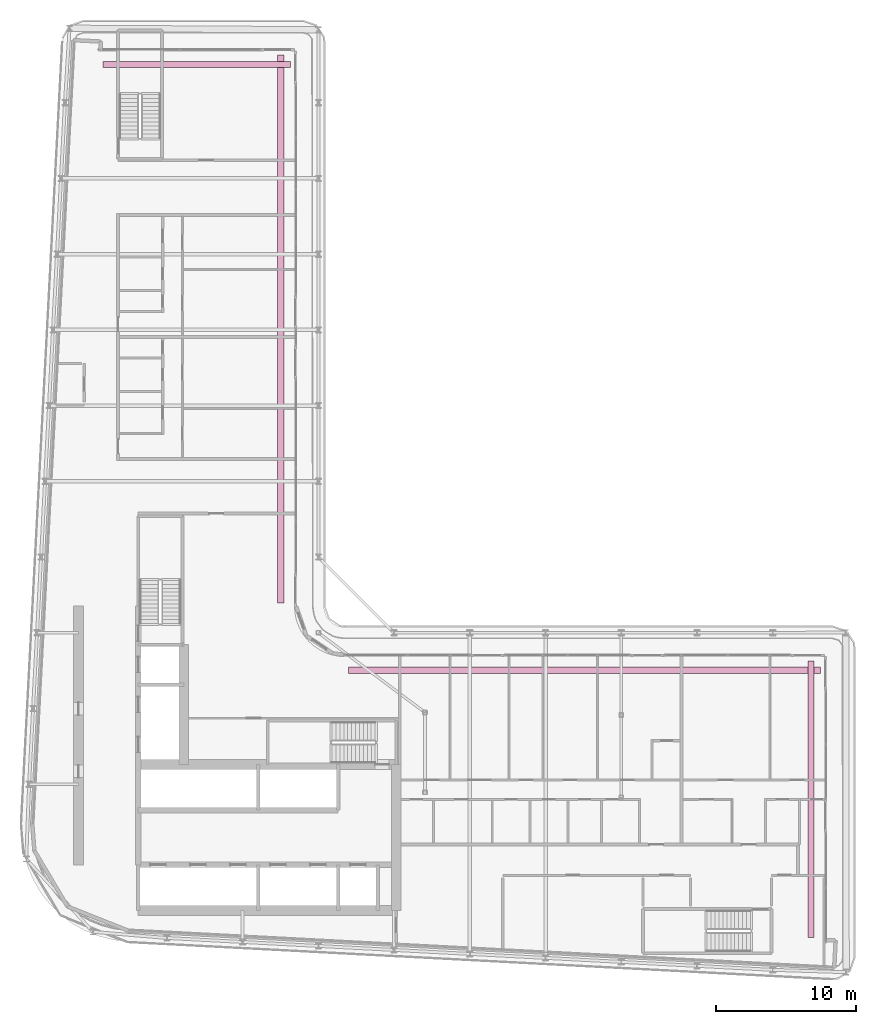
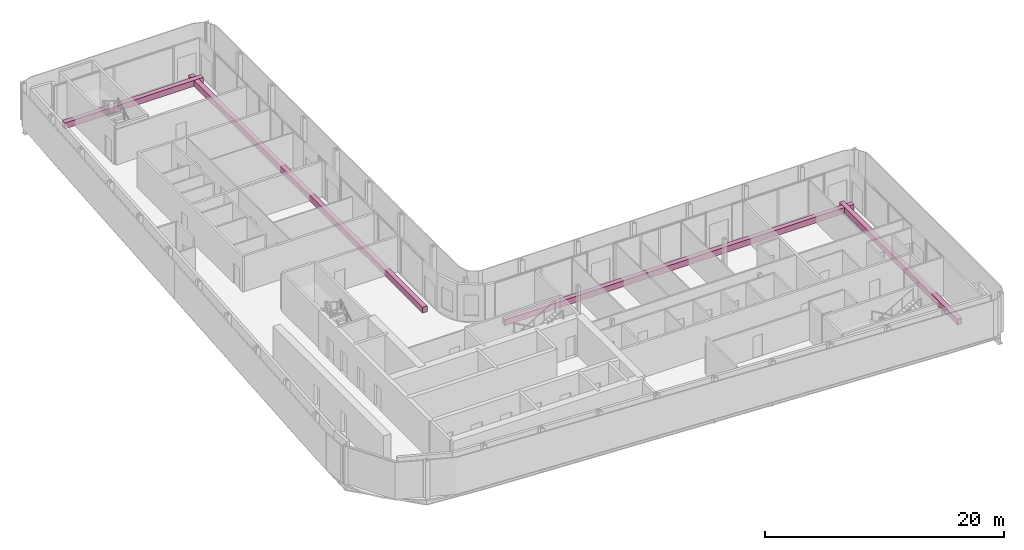
# One storey, part 21 of 21: 4 furniture elements.
"""IFC4 building model written with IfcOpenShell, lengths in metres."""

from ifc_helpers import new_model, si_unit, direction, frame, origin, origin_2d, place, context, subcontext, project, spatial, rectangle, extrude, material, type_object, element, save


model = new_model("IFC4")

# Units and contexts
model_context = context("Model", 3, precision=1e-05, world=origin(), true_north=direction((0.0, 1.0)))
body_context = subcontext(model_context, "Body", "Model", "MODEL_VIEW")
ifc_project = project(units=[si_unit("LENGTHUNIT", "METRE"), si_unit("AREAUNIT", "SQUARE_METRE"), si_unit("VOLUMEUNIT", "CUBIC_METRE"), si_unit("PLANEANGLEUNIT", "RADIAN"), si_unit("MASSUNIT", "GRAM", prefix="KILO")], contexts=[model_context])

# Site, building, storey
site_placement = place(None, origin())
site = spatial("IfcSite", under=ifc_project, at=site_placement, CompositionType="ELEMENT")
building_placement = place(site_placement, origin())
building = spatial("IfcBuilding", under=site, at=building_placement, Name="Kheshtan School and Residences Tower", CompositionType="ELEMENT")
storey_placement = place(building_placement, frame((0.0, 0.0, 224.0)))
storey = spatial("IfcBuildingStorey", under=building, at=storey_placement, Name="L52", CompositionType="ELEMENT", Elevation=224.0)

# Furniture
ifc_material = material(Name="Precast concrete C30/37 in terracotta finish", Category="masonry")
furniture_type = type_object("IfcFurnitureType", Name="Planter trough", AssemblyPlace="NOTDEFINED", PredefinedType="USERDEFINED", material=ifc_material)
furniture_1_placement = place(storey_placement, frame((38.912109375, 86.125, 0.0), z_axis=(0.0, 0.0, 1.0), x_axis=(1.0, 0.0, 0.0)))
element("IfcFurniture", 1, at=furniture_1_placement, inside=storey, type_object=furniture_type, Name="Planter L52", ObjectType="PLANTER", PredefinedType="USERDEFINED", context=body_context, shape_type="SweptSolid", body=[
    extrude(rectangle(XDim=13.3759765625, YDim=0.449951171875, at=origin_2d()), origin(), (0.0, 0.0, 1.0), 0.60009765625),
])
furniture_2_placement = place(storey_placement, frame((44.925048828125, 67.264892578125, 0.0), z_axis=(0.0, 0.0, 1.0), x_axis=(0.0, -1.0, 0.0)))
element("IfcFurniture", 2, at=furniture_2_placement, inside=storey, type_object=furniture_type, Name="Planter L52", ObjectType="PLANTER", PredefinedType="USERDEFINED", context=body_context, shape_type="SweptSolid", body=[
    extrude(rectangle(XDim=39.070068359375, YDim=0.449951171875, at=origin_2d()), origin(), (0.0, 0.0, 1.0), 0.60009765625),
])
furniture_3_placement = place(storey_placement, frame((66.56494140625, 42.925048828125, 0.0), z_axis=(0.0, 0.0, 1.0), x_axis=(1.0, 0.0, 0.0)))
element("IfcFurniture", 3, at=furniture_3_placement, inside=storey, type_object=furniture_type, Name="Planter L52", ObjectType="PLANTER", PredefinedType="USERDEFINED", context=body_context, shape_type="SweptSolid", body=[
    extrude(rectangle(XDim=33.669921875, YDim=0.449951171875, at=origin_2d()), origin(), (0.0, 0.0, 1.0), 0.60009765625),
])
furniture_4_placement = place(storey_placement, frame((82.72509765625, 33.73291015625, 0.0), z_axis=(0.0, 0.0, 1.0), x_axis=(0.0, -1.0, 0.0)))
element("IfcFurniture", 4, at=furniture_4_placement, inside=storey, type_object=furniture_type, Name="Planter L52", ObjectType="PLANTER", PredefinedType="USERDEFINED", context=body_context, shape_type="SweptSolid", body=[
    extrude(rectangle(XDim=19.73291015625, YDim=0.449951171875, at=origin_2d()), origin(), (0.0, 0.0, 1.0), 0.60009765625),
])

save(model, "model.ifc")
